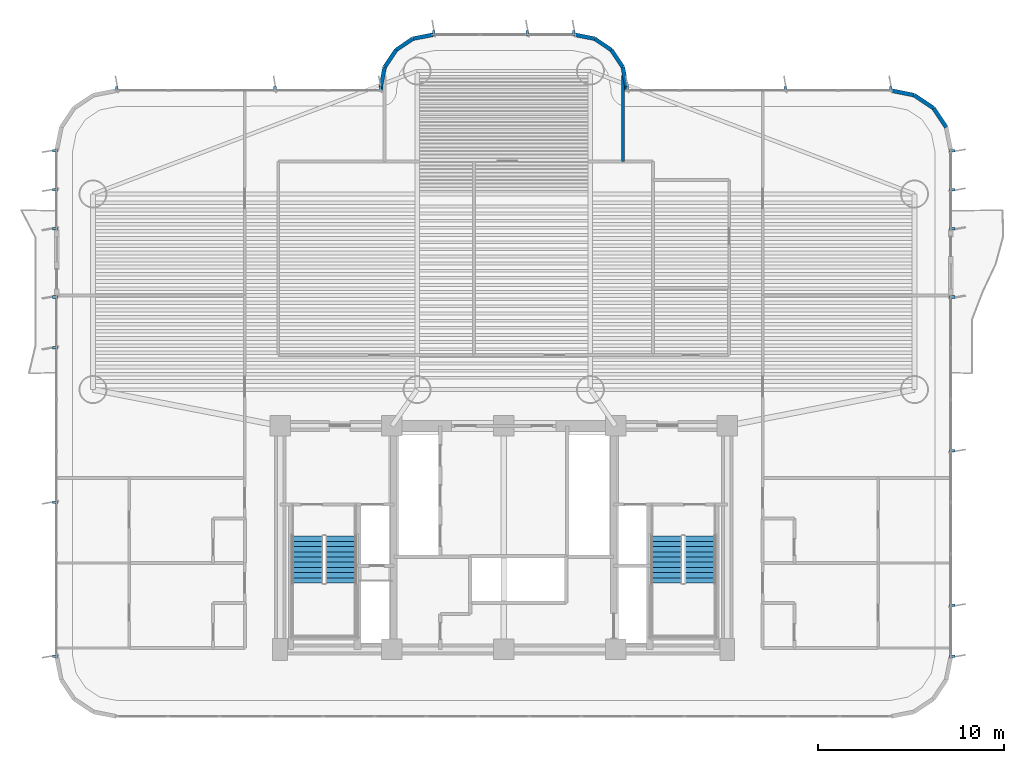
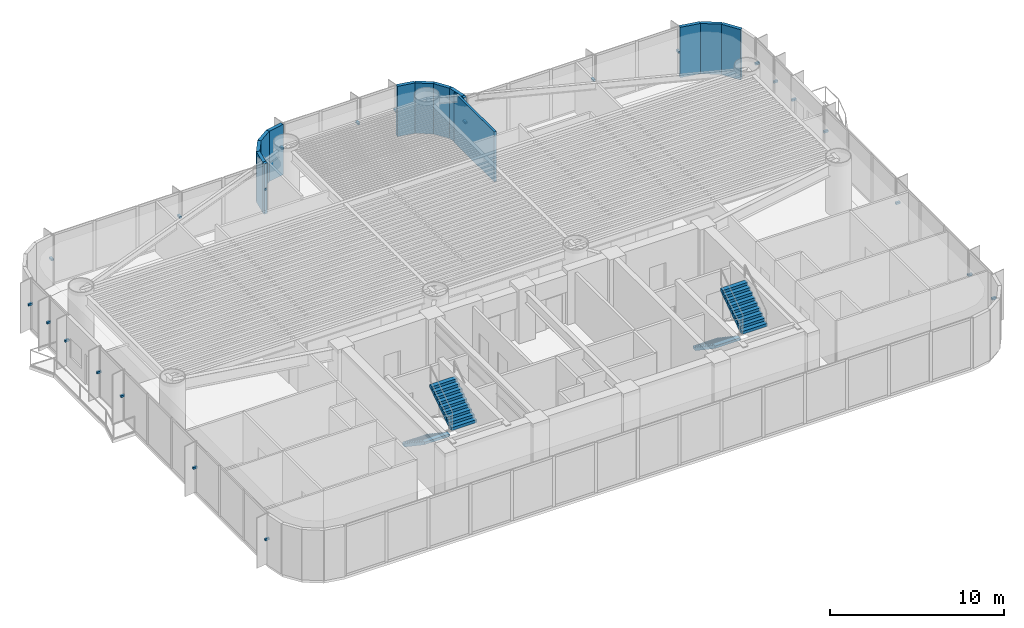
# One storey, part 13 of 17: 23 discrete accessories, 14 walls, 4 stair flights, 2 elements without a shape of their own.
"""IFC4 building model written with IfcOpenShell, lengths in metres."""

import ifcopenshell
import ifcopenshell.guid

model = None  # the IFC model being written
_history = None  # IfcOwnerHistory: only IFC2X3 demands one
_inside = {}  # id of a spatial element -> (the spatial element, [elements in it])
_under = {}  # id of a project, library or spatial element -> (it, [spatial elements below it])
_declared = {}  # id of a project -> (the project, [libraries it declares])
_typed = {}  # id of a type object -> (the type object, [elements of that type])
_made_of = {}  # id of a material, layer set ... -> (it, [elements and type objects made of it])


def new_model(schema):
    """Start an empty IFC model of exactly this schema.

    Asked for "IFC4X3", IfcOpenShell would pick the latest addendum, in which some entities
    have other attributes; the version numbers below select the first issue.
    IFC2X3 requires an IfcOwnerHistory on every rooted entity: one is made here for all.
    """
    global model, _history
    if schema == "IFC4X3":
        model = ifcopenshell.file(schema_version=(4, 3, 0, 0))
    else:
        model = ifcopenshell.file(schema=schema)
    _inside.clear()
    _under.clear()
    _declared.clear()
    _typed.clear()
    _made_of.clear()
    _history = None
    if model.schema == "IFC2X3":
        org = make("IfcOrganization", Name="unknown")
        user = make(
            "IfcPersonAndOrganization",
            ThePerson=make("IfcPerson", FamilyName="unknown"),
            TheOrganization=org,
        )
        app = make(
            "IfcApplication",
            ApplicationDeveloper=org,
            Version="unknown",
            ApplicationFullName="unknown",
            ApplicationIdentifier="unknown",
        )
        _history = make(
            "IfcOwnerHistory",
            OwningUser=user,
            OwningApplication=app,
            ChangeAction="ADDED",
            CreationDate=0,
        )
    return model


def make(cls, **values):
    """One entity of the class cls with the attributes given. An attribute that is None is left unset."""
    return model.create_entity(
        cls, **{name: value for name, value in values.items() if value is not None}
    )


def rooted(cls, **values):
    """An entity with a GlobalId (a new one), such as an element, a storey or a relation."""
    return make(cls, GlobalId=ifcopenshell.guid.new(), OwnerHistory=_history, **values)


def si_unit(unit_type, name, prefix=None):
    """IfcSIUnit, for example si_unit("LENGTHUNIT", "METRE", prefix="MILLI")."""
    return make("IfcSIUnit", UnitType=unit_type, Prefix=prefix, Name=name)


def assignment(units):
    """IfcUnitAssignment: the units of a project."""
    return None if units is None else make("IfcUnitAssignment", Units=units)


def point(xyz):
    """IfcCartesianPoint."""
    return None if xyz is None else make("IfcCartesianPoint", Coordinates=xyz)


def direction(xyz):
    """IfcDirection."""
    return None if xyz is None else make("IfcDirection", DirectionRatios=xyz)


def frame(location, z_axis=None, x_axis=None):
    """IfcAxis2Placement3D, a coordinate frame: its origin and axes. An axis left out is left unset."""
    return make(
        "IfcAxis2Placement3D",
        Location=point(location),
        Axis=direction(z_axis),
        RefDirection=direction(x_axis),
    )


def frame_2d(location, x_axis=None):
    """IfcAxis2Placement2D, a coordinate frame in the plane: its origin and x axis."""
    return make(
        "IfcAxis2Placement2D", Location=point(location), RefDirection=direction(x_axis)
    )


def origin():
    """The frame at (0, 0, 0) with its axes left unset."""
    return frame((0.0, 0.0, 0.0))


def origin_2d():
    """The frame at (0, 0) in the plane with its x axis left unset."""
    return frame_2d((0.0, 0.0))


def place(relative_to, where):
    """IfcLocalPlacement: puts the frame where relative to a parent placement (None: the world)."""
    return make(
        "IfcLocalPlacement", PlacementRelTo=relative_to, RelativePlacement=where
    )


def context(
    kind, dimensions, precision=None, world=None, true_north=None, identifier=None
):
    """IfcGeometricRepresentationContext, for example the 3D "Model" context."""
    return make(
        "IfcGeometricRepresentationContext",
        ContextIdentifier=identifier,
        ContextType=kind,
        CoordinateSpaceDimension=dimensions,
        Precision=precision,
        WorldCoordinateSystem=world,
        TrueNorth=true_north,
    )


def subcontext(parent, identifier, kind, view, scale=None):
    """IfcGeometricRepresentationSubContext, for example "Body" below "Model"."""
    return make(
        "IfcGeometricRepresentationSubContext",
        ContextIdentifier=identifier,
        ContextType=kind,
        ParentContext=parent,
        TargetScale=scale,
        TargetView=view,
    )


def project(units=None, contexts=None):
    """IfcProject with its units and contexts."""
    return rooted(
        "IfcProject",
        Name="project",
        RepresentationContexts=contexts,
        UnitsInContext=assignment(units),
    )


def spatial(cls, under=None, at=None, **own):
    """A site, building, storey or space (cls), placed at a placement, below another one or the project."""
    s = rooted(cls, ObjectPlacement=at, **own)
    if under is not None:
        _under.setdefault(under.id(), (under, []))[1].append(s)
    return s


def polyline(points):
    """IfcPolyline through the points."""
    return make("IfcPolyline", Points=[point(p) for p in points])


def profile(cls, at=None, kind="AREA", **sizes):
    """A parametric profile (cls). Its sizes go by their IFC names, for example OverallWidth=200.0."""
    return make(cls, ProfileType=kind, Position=at, **sizes)


def rectangle(**sizes):
    """IfcRectangleProfileDef."""
    return profile("IfcRectangleProfileDef", **sizes)


def outline(outer, holes=None, kind="AREA"):
    """IfcArbitraryClosedProfileDef: a profile drawn as a closed curve; with holes, ...WithVoids."""
    if holes is None:
        return make("IfcArbitraryClosedProfileDef", ProfileType=kind, OuterCurve=outer)
    return make(
        "IfcArbitraryProfileDefWithVoids",
        ProfileType=kind,
        OuterCurve=outer,
        InnerCurves=holes,
    )


def extrude(swept, where, along, depth):
    """IfcExtrudedAreaSolid: the profile swept, set in the frame where, extruded along a direction by depth."""
    return make(
        "IfcExtrudedAreaSolid",
        SweptArea=swept,
        Position=where,
        ExtrudedDirection=direction(along),
        Depth=depth,
    )


def shape(context_of_items, identifier, shape_type, items):
    """IfcShapeRepresentation: the items that make up one representation, for example the "Body"."""
    return make(
        "IfcShapeRepresentation",
        ContextOfItems=context_of_items,
        RepresentationIdentifier=identifier,
        RepresentationType=shape_type,
        Items=items,
    )


def source(mapping_origin, context_of_items, identifier, shape_type, items):
    """IfcRepresentationMap: a shape defined once, which mapped items show again and again."""
    return make(
        "IfcRepresentationMap",
        MappingOrigin=mapping_origin,
        MappedRepresentation=shape(context_of_items, identifier, shape_type, items),
    )


def transform(
    local_origin,
    x_axis=None,
    y_axis=None,
    z_axis=None,
    scale=None,
    scale2=None,
    scale3=None,
    uniform=True,
):
    """IfcCartesianTransformationOperator3D, or its non-uniform kind. x_axis, y_axis, z_axis: its Axis1, 2, 3."""
    if uniform:
        return make(
            "IfcCartesianTransformationOperator3D",
            Axis1=direction(x_axis),
            Axis2=direction(y_axis),
            LocalOrigin=point(local_origin),
            Scale=scale,
            Axis3=direction(z_axis),
        )
    return make(
        "IfcCartesianTransformationOperator3DnonUniform",
        Axis1=direction(x_axis),
        Axis2=direction(y_axis),
        LocalOrigin=point(local_origin),
        Scale=scale,
        Axis3=direction(z_axis),
        Scale2=scale2,
        Scale3=scale3,
    )


def mapped(mapping_source, mapping_target):
    """IfcMappedItem: shows the shape of a source again, moved by a transform."""
    return make(
        "IfcMappedItem", MappingSource=mapping_source, MappingTarget=mapping_target
    )


def material(Name=None, Category=None):
    """IfcMaterial."""
    return make("IfcMaterial", Name=Name, Category=Category)


def layer(
    of_material, thickness, ventilated=None, Name=None, Category=None, Priority=None
):
    """IfcMaterialLayer: one layer of a wall or slab, of a material (None: an air gap)."""
    return make(
        "IfcMaterialLayer",
        Material=of_material,
        LayerThickness=thickness,
        IsVentilated=ventilated,
        Name=Name,
        Category=Category,
        Priority=Priority,
    )


def layer_set(layers, Name=None):
    """IfcMaterialLayerSet."""
    return make("IfcMaterialLayerSet", MaterialLayers=layers, LayerSetName=Name)


def made_of(thing, what):
    """Note that an element or type object is made of a material, layer set ...; save() writes the relation."""
    if what is not None:
        _made_of.setdefault(what.id(), (what, []))[1].append(thing)
    return thing


def type_object(cls, material=None, **own):
    """A type object (cls), such as IfcWallType, which elements share."""
    return made_of(rooted(cls, **own), material)


def element(
    cls,
    number,
    at=None,
    inside=None,
    cuts=None,
    type_object=None,
    material=None,
    context=None,
    identifier="Body",
    shape_type=None,
    held_by="IfcProductDefinitionShape",
    body=None,
    shapes=None,
    **own,
):
    """One element of the class cls, such as IfcWall. Its Tag is "e" and its number.

    at: its placement. inside: the storey or other place that contains it. cuts: it is an
    opening in that element (IfcRelVoidsElement). A single representation is given by context,
    identifier, shape_type and body (its items); several are given by shapes. held_by: the class
    of the entity that holds the representations. save() writes the other relations.
    """
    e = rooted(cls, Tag="e%d" % number, ObjectPlacement=at, **own)
    if body is not None:
        shapes = [shape(context, identifier, shape_type, body)]
    if shapes is not None:
        e.Representation = make(held_by, Representations=shapes)
    if inside is not None:
        _inside.setdefault(inside.id(), (inside, []))[1].append(e)
    if cuts is not None:
        rooted(
            "IfcRelVoidsElement", RelatingBuildingElement=cuts, RelatedOpeningElement=e
        )
    if type_object is not None:
        _typed.setdefault(type_object.id(), (type_object, []))[1].append(e)
    return made_of(e, material)


def aggregate(whole, parts):
    """IfcRelAggregates: a whole, such as a stair, and the parts it consists of."""
    return rooted("IfcRelAggregates", RelatingObject=whole, RelatedObjects=parts)


def save(model, path):
    """Write the relations noted so far, then the file.

    IfcRelAggregates (storeys below a building ...), IfcRelContainedInSpatialStructure (elements
    in a storey), IfcRelDefinesByType, IfcRelAssociatesMaterial and IfcRelDeclares: one each for
    every whole, place, type object, material and project.
    """
    for whole, parts in _under.values():
        aggregate(whole, parts)
    for where, things in _inside.values():
        rooted(
            "IfcRelContainedInSpatialStructure",
            RelatedElements=things,
            RelatingStructure=where,
        )
    for kind, things in _typed.values():
        rooted("IfcRelDefinesByType", RelatedObjects=things, RelatingType=kind)
    for what, things in _made_of.values():
        rooted("IfcRelAssociatesMaterial", RelatedObjects=things, RelatingMaterial=what)
    for by, libraries in _declared.values():
        rooted("IfcRelDeclares", RelatingContext=by, RelatedDefinitions=libraries)
    model.write(path)


model = new_model("IFC4")

# Units and contexts
model_context = context("Model", 3, precision=1e-05, world=origin(), true_north=direction((0.0, 1.0)))
body_context = subcontext(model_context, "Body", "Model", "MODEL_VIEW")
ifc_project = project(units=[si_unit("LENGTHUNIT", "METRE"), si_unit("AREAUNIT", "SQUARE_METRE"), si_unit("VOLUMEUNIT", "CUBIC_METRE"), si_unit("PLANEANGLEUNIT", "RADIAN"), si_unit("MASSUNIT", "GRAM", prefix="KILO")], contexts=[model_context])

# Site, building, storey
site_placement = place(None, origin())
site = spatial("IfcSite", under=ifc_project, at=site_placement, CompositionType="ELEMENT")
building_placement = place(site_placement, origin())
building = spatial("IfcBuilding", under=site, at=building_placement, Name="Brelvock Crest Care Tower", CompositionType="ELEMENT")
storey_placement = place(building_placement, frame((0.0, 0.0, 53.4599609375)))
storey = spatial("IfcBuildingStorey", under=building, at=storey_placement, Name="L13", CompositionType="ELEMENT", Elevation=53.4599609375)

# Walls
ifc_material_1 = material(Name="Precast concrete N40 (40 MPa)", Category="concrete")
ifc_layer_1 = layer(ifc_material_1, 0.215087890625, Name="WL-EX2")
ifc_layer_set_1 = layer_set([ifc_layer_1], Name="Precast concrete N40 (40 MPa)")
wall_type_1 = type_object("IfcWallType", Name="WL-EX2", PredefinedType="SOLIDWALL", material=ifc_layer_set_1)
for number, where, z_axis, x_axis, name in (
    (1, (58.024658203125, 35.75634765625, 0.0), (0.0, 0.0, 1.0), (0.831478245117, -0.555557312883, 0.0), "L13 Rounded Corner Wall 00"),
    (2, (59.062744140625, 35.062744140625, 0.0), (0.0, 0.0, 1.0), (0.555557312883, -0.831478245117, 0.0), "L13 Rounded Corner Wall 01"),
):
    element("IfcWall", number, at=place(storey_placement, frame(where, z_axis=z_axis, x_axis=x_axis)), inside=storey, type_object=wall_type_1, Name=name, PredefinedType="SOLIDWALL", context=body_context, shape_type="SweptSolid", body=[
        extrude(rectangle(XDim=1.24853515625, YDim=0.215087890625, at=frame_2d((0.624267578125, 0.0))), origin(), (0.0, 0.0, 1.0), 3.530029296875),
    ])
wall_1_placement = place(storey_placement, frame((29.39990234375, 36.0, 0.0), z_axis=(0.0, 0.0, 1.0), x_axis=(0.0, 1.0, 0.0)))
element("IfcWall", 3, at=wall_1_placement, inside=storey, type_object=wall_type_1, Name="L13 Rounded Corner Wall 19", PredefinedType="SOLIDWALL", context=body_context, shape_type="SweptSolid", body=[
    extrude(rectangle(XDim=0.199951171875, YDim=0.215087890625, at=frame_2d((0.10009765625, 0.0))), origin(), (0.0, 0.0, 1.0), 3.530029296875),
])
wall_2_placement = place(storey_placement, frame((29.39990234375, 36.199951171875, 0.0), z_axis=(0.0, 0.0, 1.0), x_axis=(0.195084651288, 0.980786408364, 0.0)))
element("IfcWall", 4, at=wall_2_placement, inside=storey, type_object=wall_type_1, Name="L13 Rounded Corner Wall 20", PredefinedType="SOLIDWALL", context=body_context, shape_type="SweptSolid", body=[
    extrude(rectangle(XDim=1.092529296875, YDim=0.215087890625, at=frame_2d((0.54638671875, 0.0))), origin(), (0.0, 0.0, 1.0), 3.530029296875),
])
wall_3_placement = place(storey_placement, frame((29.613037109375, 37.271484375, 0.0), z_axis=(0.0, 0.0, 1.0), x_axis=(0.555679482341, 0.831396603857, 0.0)))
element("IfcWall", 5, at=wall_3_placement, inside=storey, type_object=wall_type_1, Name="L13 Rounded Corner Wall 21", PredefinedType="SOLIDWALL", context=body_context, shape_type="SweptSolid", body=[
    extrude(rectangle(XDim=1.0927734375, YDim=0.215087890625, at=frame_2d((0.54638671875, 0.0))), origin(), (0.0, 0.0, 1.0), 3.530029296875),
])
wall_4_placement = place(storey_placement, frame((30.22021484375, 38.179931640625, 0.0), z_axis=(0.0, 0.0, 1.0), x_axis=(0.831430845238, 0.555628247651, 0.0)))
element("IfcWall", 6, at=wall_4_placement, inside=storey, type_object=wall_type_1, Name="L13 Rounded Corner Wall 22", PredefinedType="SOLIDWALL", context=body_context, shape_type="SweptSolid", body=[
    extrude(rectangle(XDim=1.09228515625, YDim=0.215087890625, at=frame_2d((0.546142578125, 0.0))), origin(), (0.0, 0.0, 1.0), 3.530029296875),
])
for number, where, z_axis, x_axis, name in (
    (7, (31.12841796875, 38.786865234375, 0.0), (0.0, 0.0, 1.0), (0.980786408364, 0.195084651288, 0.0), "L13 Rounded Corner Wall 23"),
    (8, (39.800048828125, 39.0, 0.0), (0.0, 0.0, 1.0), (0.980786408364, -0.195084651288, 0.0), "L13 Rounded Corner Wall 25"),
):
    element("IfcWall", number, at=place(storey_placement, frame(where, z_axis=z_axis, x_axis=x_axis)), inside=storey, type_object=wall_type_1, Name=name, PredefinedType="SOLIDWALL", context=body_context, shape_type="SweptSolid", body=[
        extrude(rectangle(XDim=1.092529296875, YDim=0.215087890625, at=frame_2d((0.54638671875, 0.0))), origin(), (0.0, 0.0, 1.0), 3.530029296875),
    ])
wall_5_placement = place(storey_placement, frame((40.87158203125, 38.786865234375, 0.0), z_axis=(0.0, 0.0, 1.0), x_axis=(0.831430845238, -0.555628247651, 0.0)))
element("IfcWall", 9, at=wall_5_placement, inside=storey, type_object=wall_type_1, Name="L13 Rounded Corner Wall 26", PredefinedType="SOLIDWALL", context=body_context, shape_type="SweptSolid", body=[
    extrude(rectangle(XDim=1.09228515625, YDim=0.215087890625, at=frame_2d((0.546142578125, 0.0))), origin(), (0.0, 0.0, 1.0), 3.530029296875),
])
wall_6_placement = place(storey_placement, frame((41.77978515625, 38.179931640625, 0.0), z_axis=(0.0, 0.0, 1.0), x_axis=(0.555679482341, -0.831396603857, 0.0)))
element("IfcWall", 10, at=wall_6_placement, inside=storey, type_object=wall_type_1, Name="L13 Rounded Corner Wall 27", PredefinedType="SOLIDWALL", context=body_context, shape_type="SweptSolid", body=[
    extrude(rectangle(XDim=1.0927734375, YDim=0.215087890625, at=frame_2d((0.54638671875, 0.0))), origin(), (0.0, 0.0, 1.0), 3.530029296875),
])
wall_7_placement = place(storey_placement, frame((42.386962890625, 37.271484375, 0.0), z_axis=(0.0, 0.0, 1.0), x_axis=(0.195084651288, -0.980786408364, 0.0)))
element("IfcWall", 11, at=wall_7_placement, inside=storey, type_object=wall_type_1, Name="L13 Rounded Corner Wall 28", PredefinedType="SOLIDWALL", context=body_context, shape_type="SweptSolid", body=[
    extrude(rectangle(XDim=1.092529296875, YDim=0.215087890625, at=frame_2d((0.54638671875, 0.0))), origin(), (0.0, 0.0, 1.0), 3.530029296875),
])
wall_8_placement = place(storey_placement, frame((42.60009765625, 36.199951171875, 0.0), z_axis=(0.0, 0.0, 1.0), x_axis=(0.0, -1.0, 0.0)))
element("IfcWall", 12, at=wall_8_placement, inside=storey, type_object=wall_type_1, Name="L13 Rounded Corner Wall 29", PredefinedType="SOLIDWALL", context=body_context, shape_type="SweptSolid", body=[
    extrude(rectangle(XDim=0.199951171875, YDim=0.215087890625, at=frame_2d((0.10009765625, 0.0))), origin(), (0.0, 0.0, 1.0), 3.530029296875),
])
wall_9_placement = place(storey_placement, frame((56.800048828125, 36.0, 0.0), z_axis=(0.0, 0.0, 1.0), x_axis=(0.980775717779, -0.195138390419, 0.0)))
element("IfcWall", 13, at=wall_9_placement, inside=storey, type_object=wall_type_1, Name="L13 Rounded Corner Wall 31", PredefinedType="SOLIDWALL", context=body_context, shape_type="SweptSolid", body=[
    extrude(rectangle(XDim=1.24853515625, YDim=0.215087890625, at=frame_2d((0.624267578125, 0.0))), origin(), (0.0, 0.0, 1.0), 3.530029296875),
])
ifc_material_2 = material(Name="Masonry Blockwork Acoustic Partition", Category="masonry")
ifc_layer_2 = layer(ifc_material_2, 0.14990234375, Name="WL-INT1")
ifc_layer_set_2 = layer_set([ifc_layer_2], Name="Masonry Blockwork Acoustic Partition")
wall_type_2 = type_object("IfcWallType", Name="WL-INT1", PredefinedType="PARTITIONING", material=ifc_layer_set_2)
wall_10_placement = place(storey_placement, frame((42.39990234375, 32.199951171875, 0.0), z_axis=(0.0, 0.0, 1.0), x_axis=(0.0, 1.0, 0.0)))
element("IfcWall", 14, at=wall_10_placement, inside=storey, type_object=wall_type_2, Name="L13 Interior Wall WL-BX-L13-NHUB-E", PredefinedType="PARTITIONING", context=body_context, shape_type="SweptSolid", body=[
    extrude(rectangle(XDim=4.595458984375, YDim=0.14990234375, at=frame_2d((2.2978515625, 0.0))), origin(), (0.0, 0.0, 1.0), 3.5),
])

# Stair, stair flights
ifc_material_3 = material(Name="Concrete N40 (40 MPa)", Category="concrete")
stair_type = type_object("IfcStairType", Name="ST-CORE1", PredefinedType="HALF_TURN_STAIR", material=ifc_material_3)
stair_1_placement = place(storey_placement, origin())
stair_1 = element("IfcStair", 15, at=stair_1_placement, inside=storey, type_object=stair_type, Name="L13 Fire-Isolated Core Stair ST-1", PredefinedType="HALF_TURN_STAIR")
stair_flight_type = type_object("IfcStairFlightType", Name="STF-1", PredefinedType="STRAIGHT", material=ifc_material_3)
stair_flight_1_placement = place(storey_placement, frame((25.469970703125, 12.080078125, 0.0), z_axis=(0.0, 0.0, 1.0), x_axis=(0.0, -1.0, 0.0)))
stair_flight_1 = element("IfcStairFlight", 16, at=stair_flight_1_placement, type_object=stair_flight_type, Name="ST-1 flight 1", NumberOfRisers=10, NumberOfTreads=9, PredefinedType="STRAIGHT", RiserHeight=0.189, TreadLength=0.28, context=body_context, shape_type="SweptSolid", body=[
    extrude(outline(polyline([(-0.00390625, -0.014892578125), (-0.00390625, -0.0078125), (-0.00390625, -0.00048828125), (-0.00390625, 0.0068359375), (-0.00390625, 0.01416015625), (-0.00390625, 0.021484375), (-0.00390625, 0.02880859375), (-0.00390625, 0.035888671875), (-0.00390625, 0.043212890625), (-0.00390625, 0.050537109375), (-0.00390625, 0.057861328125), (-0.00390625, 0.065185546875), (-0.00390625, 0.072509765625), (-0.00390625, 0.07958984375), (-0.00390625, 0.0869140625), (-0.00390625, 0.09423828125), (-0.00390625, 0.1015625), (-0.00390625, 0.10888671875), (-0.00390625, 0.1162109375), (-0.00390625, 0.12353515625), (-0.00390625, 0.130615234375), (-0.00390625, 0.137939453125), (-0.00390625, 0.145263671875), (-0.00390625, 0.152587890625), (-0.00390625, 0.159912109375), (-0.00390625, 0.167236328125), (-0.00390625, 0.17431640625), (-0.00390625, 0.181640625), (-0.00390625, 0.18896484375), (0.0, 0.18896484375), (0.280029296875, 0.18896484375), (0.280029296875, 0.3779296875), (0.56005859375, 0.3779296875), (0.56005859375, 0.56689453125), (0.840087890625, 0.56689453125), (0.840087890625, 0.756103515625), (1.1201171875, 0.756103515625), (1.1201171875, 0.945068359375), (1.39990234375, 0.945068359375), (1.39990234375, 1.134033203125), (1.679931640625, 1.134033203125), (1.679931640625, 1.322998046875), (1.9599609375, 1.322998046875), (1.9599609375, 1.511962890625), (2.239990234375, 1.511962890625), (2.239990234375, 1.700927734375), (2.52001953125, 1.700927734375), (2.52392578125, 1.700927734375), (2.523681640625, 1.70068359375), (2.52392578125, 1.700439453125), (2.523681640625, 1.699951171875), (2.52392578125, 1.69970703125), (2.523681640625, 1.699462890625), (2.52392578125, 1.698974609375), (2.523681640625, 1.69873046875), (2.52392578125, 1.698486328125), (2.523681640625, 1.697998046875), (2.52392578125, 1.69775390625), (2.523681640625, 1.697509765625), (2.52392578125, 1.697021484375), (2.523681640625, 1.69677734375), (2.52392578125, 1.696533203125), (2.523681640625, 1.6962890625), (2.52392578125, 1.69580078125), (2.523681640625, 1.695556640625), (2.52392578125, 1.6953125), (2.523681640625, 1.69482421875), (2.52392578125, 1.694580078125), (2.523681640625, 1.6943359375), (2.52392578125, 1.69384765625), (2.523681640625, 1.693603515625), (2.52392578125, 1.693359375), (2.523681640625, 1.69287109375), (2.52392578125, 1.692626953125), (2.523681640625, 1.6923828125), (2.52392578125, 1.69189453125), (2.52001953125, 1.520263671875), (0.267822265625, 0.0), (0.0, 0.0), (0.0, -0.014892578125), (-0.00390625, -0.014892578125)])), frame((0.0, 0.83984375, 0.0), z_axis=(0.0, -1.0, 0.0), x_axis=(1.0, 0.0, 0.0)), (0.0, 0.0, 1.0), 1.679931640625),
])
stair_flight_2_placement = place(storey_placement, frame((27.27001953125, 9.56005859375, 1.89013671875), z_axis=(0.0, 0.0, 1.0), x_axis=(0.0, 1.0, 0.0)))
stair_flight_2 = element("IfcStairFlight", 17, at=stair_flight_2_placement, type_object=stair_flight_type, Name="ST-1 flight 2", NumberOfRisers=10, NumberOfTreads=9, PredefinedType="STRAIGHT", RiserHeight=0.189, TreadLength=0.28, context=body_context, shape_type="SweptSolid", body=[
    extrude(outline(polyline([(-0.00390625, -0.014892578125), (-0.00390625, -0.0078125), (-0.00390625, -0.00048828125), (-0.00390625, 0.0068359375), (-0.00390625, 0.01416015625), (-0.00390625, 0.021484375), (-0.00390625, 0.02880859375), (-0.00390625, 0.035888671875), (-0.00390625, 0.043212890625), (-0.00390625, 0.050537109375), (-0.00390625, 0.057861328125), (-0.00390625, 0.065185546875), (-0.00390625, 0.072509765625), (-0.00390625, 0.07958984375), (-0.00390625, 0.0869140625), (-0.00390625, 0.09423828125), (-0.00390625, 0.1015625), (-0.00390625, 0.10888671875), (-0.00390625, 0.1162109375), (-0.00390625, 0.12353515625), (-0.00390625, 0.130615234375), (-0.00390625, 0.137939453125), (-0.00390625, 0.145263671875), (-0.00390625, 0.152587890625), (-0.00390625, 0.159912109375), (-0.00390625, 0.167236328125), (-0.00390625, 0.17431640625), (-0.00390625, 0.181640625), (-0.00390625, 0.18896484375), (0.0, 0.18896484375), (0.280029296875, 0.18896484375), (0.280029296875, 0.3779296875), (0.56005859375, 0.3779296875), (0.56005859375, 0.56689453125), (0.840087890625, 0.56689453125), (0.840087890625, 0.756103515625), (1.1201171875, 0.756103515625), (1.1201171875, 0.945068359375), (1.39990234375, 0.945068359375), (1.39990234375, 1.134033203125), (1.679931640625, 1.134033203125), (1.679931640625, 1.322998046875), (1.9599609375, 1.322998046875), (1.9599609375, 1.511962890625), (2.239990234375, 1.511962890625), (2.239990234375, 1.700927734375), (2.52001953125, 1.700927734375), (2.52392578125, 1.700927734375), (2.523681640625, 1.70068359375), (2.52392578125, 1.700439453125), (2.523681640625, 1.699951171875), (2.52392578125, 1.69970703125), (2.523681640625, 1.699462890625), (2.52392578125, 1.698974609375), (2.523681640625, 1.69873046875), (2.52392578125, 1.698486328125), (2.523681640625, 1.697998046875), (2.52392578125, 1.69775390625), (2.523681640625, 1.697509765625), (2.52392578125, 1.697021484375), (2.523681640625, 1.69677734375), (2.52392578125, 1.696533203125), (2.523681640625, 1.6962890625), (2.52392578125, 1.69580078125), (2.523681640625, 1.695556640625), (2.52392578125, 1.6953125), (2.523681640625, 1.69482421875), (2.52392578125, 1.694580078125), (2.523681640625, 1.6943359375), (2.52392578125, 1.69384765625), (2.523681640625, 1.693603515625), (2.52392578125, 1.693359375), (2.523681640625, 1.69287109375), (2.52392578125, 1.692626953125), (2.523681640625, 1.6923828125), (2.52392578125, 1.69189453125), (2.52001953125, 1.520263671875), (0.267822265625, 0.0), (0.0, 0.0), (0.0, -0.014892578125), (-0.00390625, -0.014892578125)])), frame((0.0, 0.83984375, 0.0), z_axis=(0.0, -1.0, 0.0), x_axis=(1.0, 0.0, 0.0)), (0.0, 0.0, 1.0), 1.679931640625),
])
aggregate(stair_1, [stair_flight_1, stair_flight_2])

stair_2_placement = place(storey_placement, origin())
stair_2 = element("IfcStair", 18, at=stair_2_placement, inside=storey, type_object=stair_type, Name="L13 Fire-Isolated Core Stair ST-2", PredefinedType="HALF_TURN_STAIR")
stair_flight_3_placement = place(storey_placement, frame((44.72998046875, 12.080078125, 0.0), z_axis=(0.0, 0.0, 1.0), x_axis=(0.0, -1.0, 0.0)))
stair_flight_3 = element("IfcStairFlight", 19, at=stair_flight_3_placement, type_object=stair_flight_type, Name="ST-2 flight 1", NumberOfRisers=10, NumberOfTreads=9, PredefinedType="STRAIGHT", RiserHeight=0.189, TreadLength=0.28, context=body_context, shape_type="SweptSolid", body=[
    extrude(outline(polyline([(-0.00390625, -0.014892578125), (-0.00390625, -0.0078125), (-0.00390625, -0.00048828125), (-0.00390625, 0.0068359375), (-0.00390625, 0.01416015625), (-0.00390625, 0.021484375), (-0.00390625, 0.02880859375), (-0.00390625, 0.035888671875), (-0.00390625, 0.043212890625), (-0.00390625, 0.050537109375), (-0.00390625, 0.057861328125), (-0.00390625, 0.065185546875), (-0.00390625, 0.072509765625), (-0.00390625, 0.07958984375), (-0.00390625, 0.0869140625), (-0.00390625, 0.09423828125), (-0.00390625, 0.1015625), (-0.00390625, 0.10888671875), (-0.00390625, 0.1162109375), (-0.00390625, 0.12353515625), (-0.00390625, 0.130615234375), (-0.00390625, 0.137939453125), (-0.00390625, 0.145263671875), (-0.00390625, 0.152587890625), (-0.00390625, 0.159912109375), (-0.00390625, 0.167236328125), (-0.00390625, 0.17431640625), (-0.00390625, 0.181640625), (-0.00390625, 0.18896484375), (0.0, 0.18896484375), (0.280029296875, 0.18896484375), (0.280029296875, 0.3779296875), (0.56005859375, 0.3779296875), (0.56005859375, 0.56689453125), (0.840087890625, 0.56689453125), (0.840087890625, 0.756103515625), (1.1201171875, 0.756103515625), (1.1201171875, 0.945068359375), (1.39990234375, 0.945068359375), (1.39990234375, 1.134033203125), (1.679931640625, 1.134033203125), (1.679931640625, 1.322998046875), (1.9599609375, 1.322998046875), (1.9599609375, 1.511962890625), (2.239990234375, 1.511962890625), (2.239990234375, 1.700927734375), (2.52001953125, 1.700927734375), (2.52392578125, 1.700927734375), (2.523681640625, 1.70068359375), (2.52392578125, 1.700439453125), (2.523681640625, 1.699951171875), (2.52392578125, 1.69970703125), (2.523681640625, 1.699462890625), (2.52392578125, 1.698974609375), (2.523681640625, 1.69873046875), (2.52392578125, 1.698486328125), (2.523681640625, 1.697998046875), (2.52392578125, 1.69775390625), (2.523681640625, 1.697509765625), (2.52392578125, 1.697021484375), (2.523681640625, 1.69677734375), (2.52392578125, 1.696533203125), (2.523681640625, 1.6962890625), (2.52392578125, 1.69580078125), (2.523681640625, 1.695556640625), (2.52392578125, 1.6953125), (2.523681640625, 1.69482421875), (2.52392578125, 1.694580078125), (2.523681640625, 1.6943359375), (2.52392578125, 1.69384765625), (2.523681640625, 1.693603515625), (2.52392578125, 1.693359375), (2.523681640625, 1.69287109375), (2.52392578125, 1.692626953125), (2.523681640625, 1.6923828125), (2.52392578125, 1.69189453125), (2.52001953125, 1.520263671875), (0.267822265625, 0.0), (0.0, 0.0), (0.0, -0.014892578125), (-0.00390625, -0.014892578125)])), frame((0.0, 0.83984375, 0.0), z_axis=(0.0, -1.0, 0.0), x_axis=(1.0, 0.0, 0.0)), (0.0, 0.0, 1.0), 1.679931640625),
])
stair_flight_4_placement = place(storey_placement, frame((46.530029296875, 9.56005859375, 1.89013671875), z_axis=(0.0, 0.0, 1.0), x_axis=(0.0, 1.0, 0.0)))
stair_flight_4 = element("IfcStairFlight", 20, at=stair_flight_4_placement, type_object=stair_flight_type, Name="ST-2 flight 2", NumberOfRisers=10, NumberOfTreads=9, PredefinedType="STRAIGHT", RiserHeight=0.189, TreadLength=0.28, context=body_context, shape_type="SweptSolid", body=[
    extrude(outline(polyline([(-0.00390625, -0.014892578125), (-0.00390625, -0.0078125), (-0.00390625, -0.00048828125), (-0.00390625, 0.0068359375), (-0.00390625, 0.01416015625), (-0.00390625, 0.021484375), (-0.00390625, 0.02880859375), (-0.00390625, 0.035888671875), (-0.00390625, 0.043212890625), (-0.00390625, 0.050537109375), (-0.00390625, 0.057861328125), (-0.00390625, 0.065185546875), (-0.00390625, 0.072509765625), (-0.00390625, 0.07958984375), (-0.00390625, 0.0869140625), (-0.00390625, 0.09423828125), (-0.00390625, 0.1015625), (-0.00390625, 0.10888671875), (-0.00390625, 0.1162109375), (-0.00390625, 0.12353515625), (-0.00390625, 0.130615234375), (-0.00390625, 0.137939453125), (-0.00390625, 0.145263671875), (-0.00390625, 0.152587890625), (-0.00390625, 0.159912109375), (-0.00390625, 0.167236328125), (-0.00390625, 0.17431640625), (-0.00390625, 0.181640625), (-0.00390625, 0.18896484375), (0.0, 0.18896484375), (0.280029296875, 0.18896484375), (0.280029296875, 0.3779296875), (0.56005859375, 0.3779296875), (0.56005859375, 0.56689453125), (0.840087890625, 0.56689453125), (0.840087890625, 0.756103515625), (1.1201171875, 0.756103515625), (1.1201171875, 0.945068359375), (1.39990234375, 0.945068359375), (1.39990234375, 1.134033203125), (1.679931640625, 1.134033203125), (1.679931640625, 1.322998046875), (1.9599609375, 1.322998046875), (1.9599609375, 1.511962890625), (2.239990234375, 1.511962890625), (2.239990234375, 1.700927734375), (2.52001953125, 1.700927734375), (2.52392578125, 1.700927734375), (2.523681640625, 1.70068359375), (2.52392578125, 1.700439453125), (2.523681640625, 1.699951171875), (2.52392578125, 1.69970703125), (2.523681640625, 1.699462890625), (2.52392578125, 1.698974609375), (2.523681640625, 1.69873046875), (2.52392578125, 1.698486328125), (2.523681640625, 1.697998046875), (2.52392578125, 1.69775390625), (2.523681640625, 1.697509765625), (2.52392578125, 1.697021484375), (2.523681640625, 1.69677734375), (2.52392578125, 1.696533203125), (2.523681640625, 1.6962890625), (2.52392578125, 1.69580078125), (2.523681640625, 1.695556640625), (2.52392578125, 1.6953125), (2.523681640625, 1.69482421875), (2.52392578125, 1.694580078125), (2.523681640625, 1.6943359375), (2.52392578125, 1.69384765625), (2.523681640625, 1.693603515625), (2.52392578125, 1.693359375), (2.523681640625, 1.69287109375), (2.52392578125, 1.692626953125), (2.523681640625, 1.6923828125), (2.52392578125, 1.69189453125), (2.52001953125, 1.520263671875), (0.267822265625, 0.0), (0.0, 0.0), (0.0, -0.014892578125), (-0.00390625, -0.014892578125)])), frame((0.0, 0.83984375, 0.0), z_axis=(0.0, -1.0, 0.0), x_axis=(1.0, 0.0, 0.0)), (0.0, 0.0, 1.0), 1.679931640625),
])
aggregate(stair_2, [stair_flight_3, stair_flight_4])

# Discrete accessories
ifc_material_4 = material(Name="Steel Grade 350", Category="steel")
discrete_accessory_type = type_object("IfcDiscreteAccessoryType", Name="ACC-BRK1", PredefinedType="BRACKET", material=ifc_material_4)
shared_shape = source(origin(), body_context, "Body", "SweptSolid", [
    extrude(rectangle(XDim=0.280029296875, YDim=0.139892578125, at=origin_2d()), origin(), (0.0, 0.0, 1.0), 0.139892578125),
])
for number, where, z_axis, x_axis, name in (
    (21, (60.080078125, 32.767578125, 1.6953125), (0.0, 0.0, 1.0), (1.0, 0.0, 0.0), "L13 Facade Fin Bracket E03A-01"),
    (22, (60.080078125, 30.675048828125, 1.6953125), (0.0, 0.0, 1.0), (1.0, 0.0, 0.0), "L13 Facade Fin Bracket E03A-02"),
    (23, (60.080078125, 28.58251953125, 1.6953125), (0.0, 0.0, 1.0), (1.0, 0.0, 0.0), "L13 Facade Fin Bracket E03A-03"),
    (24, (60.080078125, 24.91748046875, 1.6953125), (0.0, 0.0, 1.0), (1.0, 0.0, 0.0), "L13 Facade Fin Bracket E03B-01"),
    (25, (60.080078125, 16.656982421875, 1.6953125), (0.0, 0.0, 1.0), (1.0, 0.0, 0.0), "L13 Facade Fin Bracket E03B-04"),
    (26, (60.080078125, 8.3642578125, 1.6953125), (0.0, 0.0, 1.0), (1.0, 0.0, 0.0), "L13 Facade Fin Bracket E03B-07"),
    (27, (60.080078125, 5.632568359375, 1.6953125), (0.0, 0.0, 1.0), (1.0, 0.0, 0.0), "L13 Facade Fin Bracket E03B-08"),
    (28, (11.919921875, 5.632568359375, 1.6953125), (0.0, 0.0, 1.0), (-1.0, 0.0, 0.0), "L13 Facade Fin Bracket E13A-01"),
    (29, (11.919921875, 13.892822265625, 1.6953125), (0.0, 0.0, 1.0), (-1.0, 0.0, 0.0), "L13 Facade Fin Bracket E13A-04"),
    (30, (11.919921875, 22.185791015625, 1.6953125), (0.0, 0.0, 1.0), (-1.0, 0.0, 0.0), "L13 Facade Fin Bracket E13A-07"),
    (31, (11.919921875, 24.91748046875, 1.6953125), (0.0, 0.0, 1.0), (-1.0, 0.0, 0.0), "L13 Facade Fin Bracket E13A-08"),
    (32, (11.919921875, 28.58251953125, 1.6953125), (0.0, 0.0, 1.0), (-1.0, 0.0, 0.0), "L13 Facade Fin Bracket E13B-01"),
    (33, (11.919921875, 30.675048828125, 1.6953125), (0.0, 0.0, 1.0), (-1.0, 0.0, 0.0), "L13 Facade Fin Bracket E13B-02"),
    (34, (11.919921875, 32.767578125, 1.6953125), (0.0, 0.0, 1.0), (-1.0, 0.0, 0.0), "L13 Facade Fin Bracket E13B-03"),
    (35, (15.232421875, 36.080078125, 1.6953125), (0.0, 0.0, 1.0), (0.0, 1.0, 0.0), "L13 Facade Fin Bracket E18-01"),
    (36, (23.719970703125, 36.080078125, 1.6953125), (0.0, 0.0, 1.0), (0.0, 1.0, 0.0), "L13 Facade Fin Bracket E18-04"),
    (37, (29.367431640625, 36.080078125, 1.6953125), (0.0, 0.0, 1.0), (0.0, 1.0, 0.0), "L13 Facade Fin Bracket E18-06"),
    (38, (32.232421875, 39.080078125, 1.6953125), (0.0, 0.0, 1.0), (0.0, 1.0, 0.0), "L13 Facade Fin Bracket E24-01"),
    (39, (37.2666015625, 39.080078125, 1.6953125), (0.0, 0.0, 1.0), (0.0, 1.0, 0.0), "L13 Facade Fin Bracket E24-03"),
    (40, (39.767578125, 39.080078125, 1.6953125), (0.0, 0.0, 1.0), (0.0, 1.0, 0.0), "L13 Facade Fin Bracket E24-04"),
    (41, (42.632568359375, 36.080078125, 1.6953125), (0.0, 0.0, 1.0), (0.0, 1.0, 0.0), "L13 Facade Fin Bracket E30-01"),
    (42, (51.1201171875, 36.080078125, 1.6953125), (0.0, 0.0, 1.0), (0.0, 1.0, 0.0), "L13 Facade Fin Bracket E30-04"),
    (43, (56.767578125, 36.080078125, 1.6953125), (0.0, 0.0, 1.0), (0.0, 1.0, 0.0), "L13 Facade Fin Bracket E30-06"),
):
    element("IfcDiscreteAccessory", number, at=place(storey_placement, frame(where, z_axis=z_axis, x_axis=x_axis)), inside=storey, type_object=discrete_accessory_type, Name=name, PredefinedType="BRACKET", context=body_context, shape_type="MappedRepresentation", body=[
        mapped(shared_shape, transform((0.0, 0.0, 0.0), x_axis=(1.0, 0.0, 0.0), y_axis=(0.0, 1.0, 0.0), z_axis=(0.0, 0.0, 1.0), scale=1.0)),
    ])

save(model, "model.ifc")
